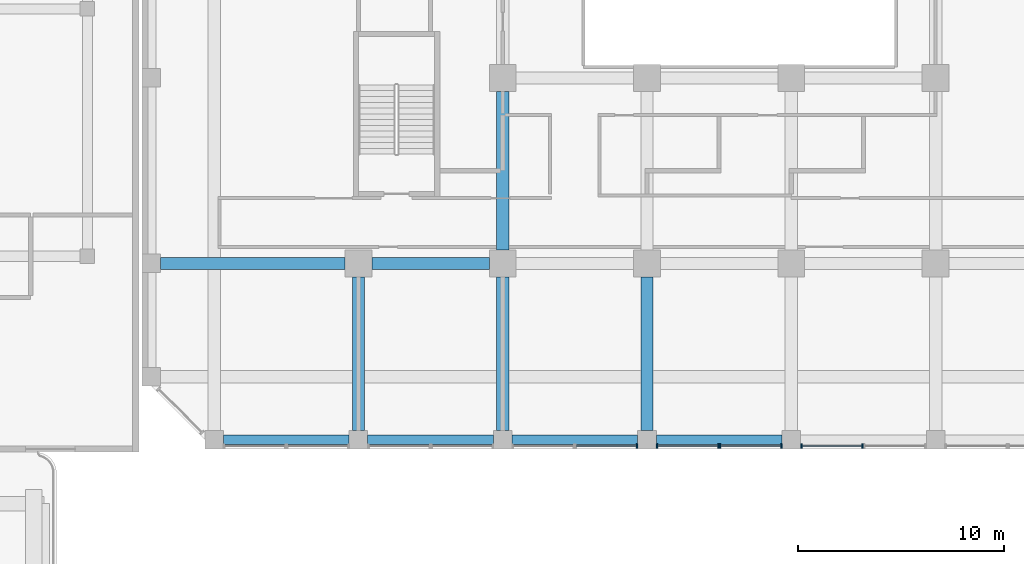
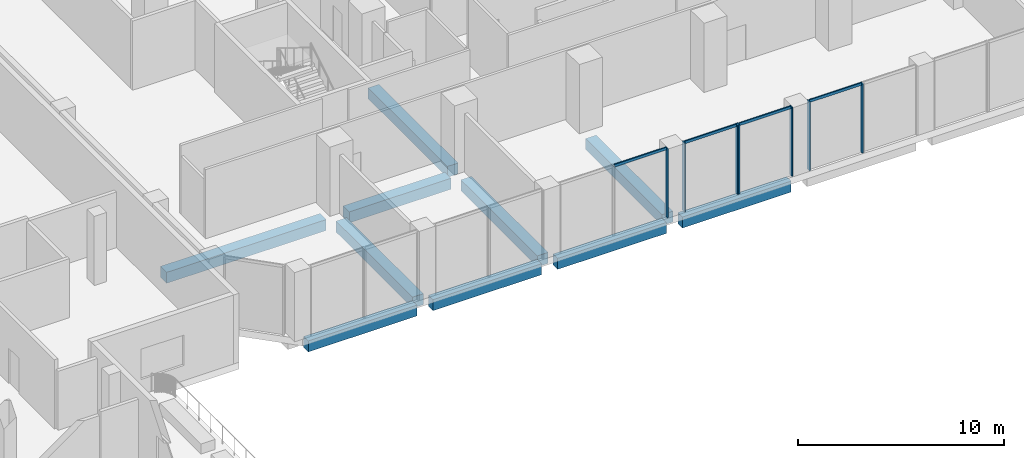
# One storey, part 3 of 36: 11 members, 10 beams, 4 elements without a shape of their own.
"""IFC4 building model written with IfcOpenShell, lengths in metres."""

from ifc_helpers import new_model, si_unit, direction, frame, origin, origin_2d, place, context, subcontext, project, spatial, rectangle, extrude, source, transform, mapped, material, material_profile, profile_set, type_object, element, aggregate, save


model = new_model("IFC4")

# Units and contexts
model_context = context("Model", 3, precision=1e-05, world=origin(), true_north=direction((0.0, 1.0)))
body_context = subcontext(model_context, "Body", "Model", "MODEL_VIEW")
ifc_project = project(units=[si_unit("LENGTHUNIT", "METRE"), si_unit("AREAUNIT", "SQUARE_METRE"), si_unit("VOLUMEUNIT", "CUBIC_METRE"), si_unit("PLANEANGLEUNIT", "RADIAN"), si_unit("MASSUNIT", "GRAM", prefix="KILO")], contexts=[model_context])

# Site, building, storey
site_placement = place(None, origin())
site = spatial("IfcSite", under=ifc_project, at=site_placement, CompositionType="ELEMENT")
building_placement = place(site_placement, origin())
building = spatial("IfcBuilding", under=site, at=building_placement, Name="Kilnfold Tower and Market Hall", CompositionType="ELEMENT")
storey_placement = place(building_placement, frame((0.0, 0.0, 18.0)))
storey = spatial("IfcBuildingStorey", under=building, at=storey_placement, Name="L03", CompositionType="ELEMENT", Elevation=18.0)

# Beams
ifc_material_1 = material(Name="Concrete C45", Category="concrete")
ifc_material_profile_1 = material_profile(ifc_material_1, rectangle(XDim=0.449951171875, YDim=0.64990234375, at=origin_2d()), Name="RC 450x650")
ifc_profile_set_1 = profile_set([ifc_material_profile_1], Name="Concrete C45")
beam_type_1 = type_object("IfcBeamType", Name="EDGE BEAM 450X650 C45", PredefinedType="BEAM", material=ifc_profile_set_1)
shared_shape_1 = source(origin(), body_context, "Body", "SweptSolid", [
    extrude(rectangle(XDim=0.449951171875, YDim=0.64990234375, at=origin_2d()), origin(), (0.0, 0.0, 1.0), 6.10009765625),
])
for number, where, z_axis, x_axis, name in (
    (1, (-24.050048828125, -27.550048828125, -0.72509765625), (1.0, 0.0, 0.0), (0.0, 1.0, 0.0), "Beam EB650-B1.1"),
    (2, (-17.050048828125, -27.550048828125, -0.72509765625), (1.0, 0.0, 0.0), (0.0, 1.0, 0.0), "Beam EB650-B1.54"),
    (3, (-10.050048828125, -27.550048828125, -0.72509765625), (1.0, 0.0, 0.0), (0.0, 1.0, 0.0), "Beam EB650-B1.2"),
    (4, (-3.050048828125, -27.550048828125, -0.72509765625), (1.0, 0.0, 0.0), (0.0, 1.0, 0.0), "Beam EB650-B1.3"),
):
    element("IfcBeam", number, at=place(storey_placement, frame(where, z_axis=z_axis, x_axis=x_axis)), inside=storey, type_object=beam_type_1, Name=name, PredefinedType="BEAM", context=body_context, shape_type="MappedRepresentation", body=[
        mapped(shared_shape_1, transform((0.0, 0.0, 0.0))),
    ])
ifc_material_2 = material(Name="Concrete C45", Category="concrete")
ifc_material_profile_2 = material_profile(ifc_material_2, rectangle(XDim=0.60009765625, YDim=0.64990234375, at=origin_2d()), Name="RC 600x650")
ifc_profile_set_2 = profile_set([ifc_material_profile_2], Name="Concrete C45")
beam_type_2 = type_object("IfcBeamType", Name="BEAM 600X650 C45", PredefinedType="BEAM", material=ifc_profile_set_2)
shared_shape_2 = source(origin(), body_context, "Body", "SweptSolid", [
    extrude(rectangle(XDim=0.60009765625, YDim=0.64990234375, at=origin_2d()), origin(), (0.0, 0.0, 1.0), 8.9501953125),
])
beam_1_placement = place(storey_placement, frame((-27.10009765625, -19.0, -0.72509765625), z_axis=(1.0, 0.0, 0.0), x_axis=(0.0, 1.0, 0.0)))
element("IfcBeam", 5, at=beam_1_placement, inside=storey, type_object=beam_type_2, Name="Beam BB650-B1.7", PredefinedType="BEAM", context=body_context, shape_type="MappedRepresentation", body=[
    mapped(shared_shape_2, transform((0.0, 0.0, 0.0))),
])
shared_shape_3 = source(origin(), body_context, "Body", "SweptSolid", [
    extrude(rectangle(XDim=0.60009765625, YDim=0.64990234375, at=origin_2d()), origin(), (0.0, 0.0, 1.0), 5.7001953125),
])
beam_2_placement = place(storey_placement, frame((-16.85009765625, -19.0, -0.72509765625), z_axis=(1.0, 0.0, 0.0), x_axis=(0.0, 1.0, 0.0)))
element("IfcBeam", 6, at=beam_2_placement, inside=storey, type_object=beam_type_2, Name="Beam BB650-B1.56", PredefinedType="BEAM", context=body_context, shape_type="MappedRepresentation", body=[
    mapped(shared_shape_3, transform((0.0, 0.0, 0.0))),
])
shared_shape_4 = source(origin(), body_context, "Body", "SweptSolid", [
    extrude(rectangle(XDim=0.60009765625, YDim=0.64990234375, at=origin_2d()), origin(), (0.0, 0.0, 1.0), 7.4501953125),
])
for number, where, z_axis, x_axis, name in (
    (7, (-17.5, -27.10009765625, -0.72509765625), (0.0, 1.0, 0.0), (-1.0, 0.0, 0.0), "Beam BB650-B1.36"),
    (8, (-10.5, -27.10009765625, -0.72509765625), (0.0, 1.0, 0.0), (-1.0, 0.0, 0.0), "Beam BB650-B1.40"),
    (9, (-3.5, -27.10009765625, -0.72509765625), (0.0, 1.0, 0.0), (-1.0, 0.0, 0.0), "Beam BB650-B1.43"),
):
    element("IfcBeam", number, at=place(storey_placement, frame(where, z_axis=z_axis, x_axis=x_axis)), inside=storey, type_object=beam_type_2, Name=name, PredefinedType="BEAM", context=body_context, shape_type="MappedRepresentation", body=[
        mapped(shared_shape_4, transform((0.0, 0.0, 0.0))),
    ])
shared_shape_5 = source(origin(), body_context, "Body", "SweptSolid", [
    extrude(rectangle(XDim=0.60009765625, YDim=0.64990234375, at=origin_2d()), origin(), (0.0, 0.0, 1.0), 7.7001953125),
])
beam_3_placement = place(storey_placement, frame((-10.5, -18.35009765625, -0.72509765625), z_axis=(0.0, 1.0, 0.0), x_axis=(-1.0, 0.0, 0.0)))
element("IfcBeam", 10, at=beam_3_placement, inside=storey, type_object=beam_type_2, Name="Beam BB650-B1.41", PredefinedType="BEAM", context=body_context, shape_type="MappedRepresentation", body=[
    mapped(shared_shape_5, transform((0.0, 0.0, 0.0))),
])

# Curtain wall, member
ifc_material_3 = material(Name="Aluminium and double glazing", Category="aluminium")
curtain_wall_type = type_object("IfcCurtainWallType", Name="CW BASE PODIUM GLAZING", PredefinedType="NOTDEFINED", material=ifc_material_3)
curtain_wall_1_placement = place(storey_placement, origin())
curtain_wall_1 = element("IfcCurtainWall", 11, at=curtain_wall_1_placement, inside=storey, type_object=curtain_wall_type, Name="Curtain wall CW4 L03 S", PredefinedType="NOTDEFINED")
ifc_material_4 = material(Name="Aluminium", Category="aluminium")
ifc_material_profile_3 = material_profile(ifc_material_4, rectangle(XDim=0.070068359375, YDim=0.219970703125, at=origin_2d()), Name="MULLION 70x220")
ifc_profile_set_3 = profile_set([ifc_material_profile_3], Name="Aluminium")
member_type_1 = type_object("IfcMemberType", Name="MULLION 70X220", PredefinedType="MULLION", material=ifc_profile_set_3)
shared_shape_6 = source(origin(), body_context, "Body", "SweptSolid", [
    extrude(rectangle(XDim=0.070068359375, YDim=0.219970703125, at=origin_2d()), origin(), (0.0, 0.0, 1.0), 4.10009765625),
])
member_1_placement = place(storey_placement, frame((-3.985107421875, -27.85009765625, 0.0), z_axis=(0.0, 0.0, 1.0), x_axis=(1.0, 0.0, 0.0)))
member_1 = element("IfcMember", 12, at=member_1_placement, type_object=member_type_1, Name="CW4 mullion 2", PredefinedType="MULLION", context=body_context, shape_type="MappedRepresentation", body=[
    mapped(shared_shape_6, transform((0.0, 0.0, 0.0))),
])

# Curtain wall, members
curtain_wall_2_placement = place(storey_placement, origin())
curtain_wall_2 = element("IfcCurtainWall", 13, at=curtain_wall_2_placement, inside=storey, type_object=curtain_wall_type, Name="Curtain wall CW4 L03 S", PredefinedType="NOTDEFINED")
member_2_placement = place(storey_placement, frame((-3.014892578125, -27.85009765625, 0.0), z_axis=(0.0, 0.0, 1.0), x_axis=(1.0, 0.0, 0.0)))
member_2 = element("IfcMember", 14, at=member_2_placement, type_object=member_type_1, Name="CW4 mullion 1", PredefinedType="MULLION", context=body_context, shape_type="MappedRepresentation", body=[
    mapped(shared_shape_6, transform((0.0, 0.0, 0.0))),
])
member_3_placement = place(storey_placement, frame((-0.034912109375, -27.85009765625, 0.0), z_axis=(0.0, 0.0, 1.0), x_axis=(1.0, 0.0, 0.0)))
member_3 = element("IfcMember", 15, at=member_3_placement, type_object=member_type_1, Name="CW4 mullion 2", PredefinedType="MULLION", context=body_context, shape_type="MappedRepresentation", body=[
    mapped(shared_shape_6, transform((0.0, 0.0, 0.0))),
])

curtain_wall_3_placement = place(storey_placement, origin())
curtain_wall_3 = element("IfcCurtainWall", 16, at=curtain_wall_3_placement, inside=storey, type_object=curtain_wall_type, Name="Curtain wall CW4 L03 S", PredefinedType="NOTDEFINED")
member_4_placement = place(storey_placement, frame((0.034912109375, -27.85009765625, 0.0), z_axis=(0.0, 0.0, 1.0), x_axis=(1.0, 0.0, 0.0)))
member_4 = element("IfcMember", 17, at=member_4_placement, type_object=member_type_1, Name="CW4 mullion 1", PredefinedType="MULLION", context=body_context, shape_type="MappedRepresentation", body=[
    mapped(shared_shape_6, transform((0.0, 0.0, 0.0))),
])
member_5_placement = place(storey_placement, frame((3.014892578125, -27.85009765625, 0.0), z_axis=(0.0, 0.0, 1.0), x_axis=(1.0, 0.0, 0.0)))
member_5 = element("IfcMember", 18, at=member_5_placement, type_object=member_type_1, Name="CW4 mullion 2", PredefinedType="MULLION", context=body_context, shape_type="MappedRepresentation", body=[
    mapped(shared_shape_6, transform((0.0, 0.0, 0.0))),
])

curtain_wall_4_placement = place(storey_placement, origin())
curtain_wall_4 = element("IfcCurtainWall", 19, at=curtain_wall_4_placement, inside=storey, type_object=curtain_wall_type, Name="Curtain wall CW4 L03 S", PredefinedType="NOTDEFINED")
member_6_placement = place(storey_placement, frame((3.985107421875, -27.85009765625, 0.0), z_axis=(0.0, 0.0, 1.0), x_axis=(1.0, 0.0, 0.0)))
member_6 = element("IfcMember", 20, at=member_6_placement, type_object=member_type_1, Name="CW4 mullion 1", PredefinedType="MULLION", context=body_context, shape_type="MappedRepresentation", body=[
    mapped(shared_shape_6, transform((0.0, 0.0, 0.0))),
])
member_7_placement = place(storey_placement, frame((6.965087890625, -27.85009765625, 0.0), z_axis=(0.0, 0.0, 1.0), x_axis=(1.0, 0.0, 0.0)))
member_7 = element("IfcMember", 21, at=member_7_placement, type_object=member_type_1, Name="CW4 mullion 2", PredefinedType="MULLION", context=body_context, shape_type="MappedRepresentation", body=[
    mapped(shared_shape_6, transform((0.0, 0.0, 0.0))),
])

# Member
ifc_material_5 = material(Name="Aluminium", Category="aluminium")
ifc_material_profile_4 = material_profile(ifc_material_5, rectangle(XDim=0.070068359375, YDim=0.159912109375, at=origin_2d()), Name="TRANSOM 70x160")
ifc_profile_set_4 = profile_set([ifc_material_profile_4], Name="Aluminium")
member_type_2 = type_object("IfcMemberType", Name="TRANSOM 70X160", PredefinedType="USERDEFINED", material=ifc_profile_set_4)
shared_shape_7 = source(origin(), body_context, "Body", "SweptSolid", [
    extrude(rectangle(XDim=0.070068359375, YDim=0.159912109375, at=origin_2d()), origin(), (0.0, 0.0, 1.0), 2.909912109375),
])
member_8_placement = place(storey_placement, frame((-6.929931640625, -27.85009765625, 4.06494140625), z_axis=(1.0, 0.0, 0.0), x_axis=(0.0, 1.0, 0.0)))
member_8 = element("IfcMember", 22, at=member_8_placement, type_object=member_type_2, Name="CW4 transom 1.2", ObjectType="TRANSOM", PredefinedType="USERDEFINED", context=body_context, shape_type="MappedRepresentation", body=[
    mapped(shared_shape_7, transform((0.0, 0.0, 0.0))),
])

aggregate(curtain_wall_1, [member_1, member_8])

member_9_placement = place(storey_placement, frame((-2.97998046875, -27.85009765625, 4.06494140625), z_axis=(1.0, 0.0, 0.0), x_axis=(0.0, 1.0, 0.0)))
member_9 = element("IfcMember", 23, at=member_9_placement, type_object=member_type_2, Name="CW4 transom 1.2", ObjectType="TRANSOM", PredefinedType="USERDEFINED", context=body_context, shape_type="MappedRepresentation", body=[
    mapped(shared_shape_7, transform((0.0, 0.0, 0.0))),
])

aggregate(curtain_wall_2, [member_2, member_3, member_9])

member_10_placement = place(storey_placement, frame((0.070068359375, -27.85009765625, 4.06494140625), z_axis=(1.0, 0.0, 0.0), x_axis=(0.0, 1.0, 0.0)))
member_10 = element("IfcMember", 24, at=member_10_placement, type_object=member_type_2, Name="CW4 transom 1.2", ObjectType="TRANSOM", PredefinedType="USERDEFINED", context=body_context, shape_type="MappedRepresentation", body=[
    mapped(shared_shape_7, transform((0.0, 0.0, 0.0))),
])

aggregate(curtain_wall_3, [member_4, member_5, member_10])

member_11_placement = place(storey_placement, frame((4.02001953125, -27.85009765625, 4.06494140625), z_axis=(1.0, 0.0, 0.0), x_axis=(0.0, 1.0, 0.0)))
member_11 = element("IfcMember", 25, at=member_11_placement, type_object=member_type_2, Name="CW4 transom 1.2", ObjectType="TRANSOM", PredefinedType="USERDEFINED", context=body_context, shape_type="MappedRepresentation", body=[
    mapped(shared_shape_7, transform((0.0, 0.0, 0.0))),
])

aggregate(curtain_wall_4, [member_6, member_7, member_11])

save(model, "model.ifc")
